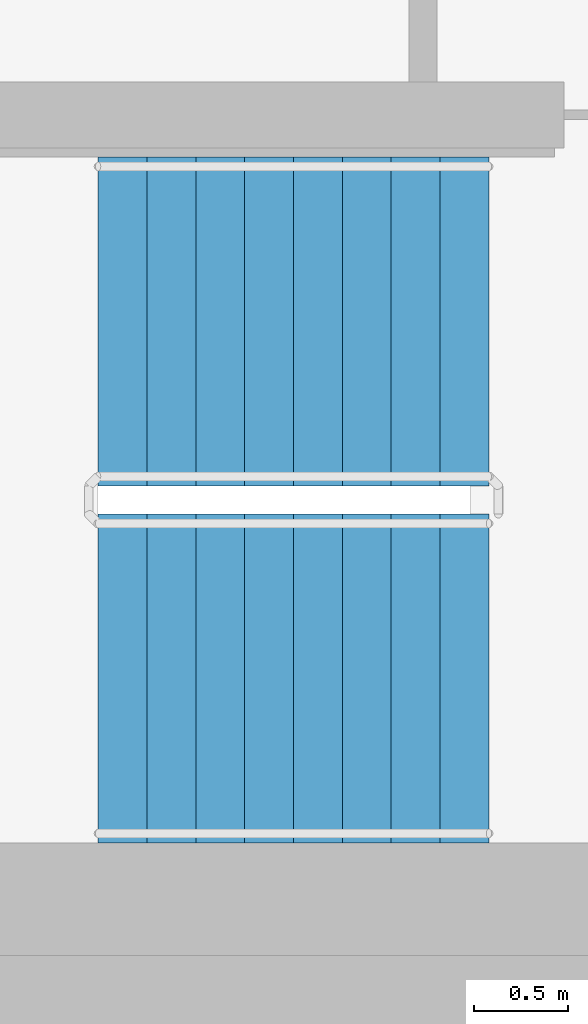
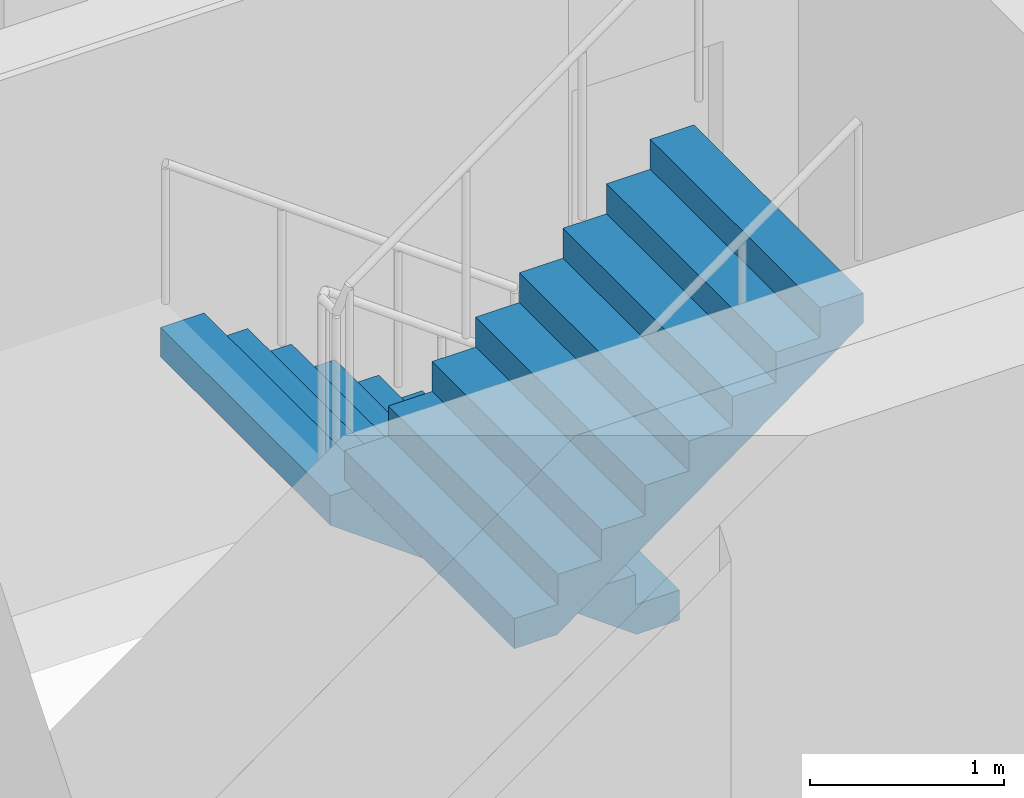
# One storey, part 12 of 18: 2 stair flights, 1 element without a shape of its own.
"""IFC4 building model written with IfcOpenShell, lengths in metres."""

from ifc_helpers import new_model, si_unit, direction, frame, origin, place, context, subcontext, project, spatial, faceted_brep, material, type_object, element, aggregate, save


model = new_model("IFC4")

# Units and contexts
model_context = context("Model", 3, precision=1e-05, world=origin(), true_north=direction((0.0, 1.0)))
body_context = subcontext(model_context, "Body", "Model", "MODEL_VIEW")
ifc_project = project(units=[si_unit("LENGTHUNIT", "METRE"), si_unit("AREAUNIT", "SQUARE_METRE"), si_unit("VOLUMEUNIT", "CUBIC_METRE"), si_unit("PLANEANGLEUNIT", "RADIAN"), si_unit("MASSUNIT", "GRAM", prefix="KILO")], contexts=[model_context])

# Site, building, storey
site_placement = place(None, origin())
site = spatial("IfcSite", under=ifc_project, at=site_placement, CompositionType="ELEMENT")
building_placement = place(site_placement, origin())
building = spatial("IfcBuilding", under=site, at=building_placement, Name="Ipe Terrace Towers", CompositionType="ELEMENT")
storey_placement = place(building_placement, frame((0.0, 0.0, 230.0)))
storey = spatial("IfcBuildingStorey", under=building, at=storey_placement, Name="L64", CompositionType="ELEMENT", Elevation=230.0)

# Stair, stair flights
ifc_material_1 = material(Name="Concrete C30/37", Category="concrete")
stair_type = type_object("IfcStairType", Name="Protected exit stair", PredefinedType="HALF_TURN_STAIR", material=ifc_material_1)
stair_placement = place(storey_placement, origin())
stair = element("IfcStair", 1, at=stair_placement, inside=storey, type_object=stair_type, Name="L64 Exit stair T1-C2", PredefinedType="HALF_TURN_STAIR")
ifc_material_2 = material(Name="Concrete C30/37", Category="concrete")
stair_flight_type = type_object("IfcStairFlightType", Name="Exit stair flight 1750", PredefinedType="STRAIGHT", material=ifc_material_2)
stair_flight_1_placement = place(storey_placement, frame((-45.699951171875, -2.77490234375, 0.0), z_axis=(0.0, 0.0, 1.0), x_axis=(-1.0, 0.0, 0.0)))
stair_flight_1 = element("IfcStairFlight", 2, at=stair_flight_1_placement, type_object=stair_flight_type, Name="T1-ST2 flight 1", NumberOfRisers=9, NumberOfTreads=8, PredefinedType="STRAIGHT", RiserHeight=0.188888889, TreadLength=0.26, context=body_context, shape_type="Brep", body=[
    faceted_brep([(0.255126953125, -0.875, 0.0), (2.080078125, -0.875, 1.325927734375), (2.080078125, -0.875, 1.51123046875), (1.820068359375, -0.875, 1.51123046875), (1.820068359375, -0.875, 1.322265625), (1.56005859375, -0.875, 1.322265625), (1.56005859375, -0.875, 1.13330078125), (1.300048828125, -0.875, 1.13330078125), (1.300048828125, -0.875, 0.9443359375), (1.0400390625, -0.875, 0.9443359375), (1.0400390625, -0.875, 0.755615234375), (0.780029296875, -0.875, 0.755615234375), (0.780029296875, -0.875, 0.566650390625), (0.52001953125, -0.875, 0.566650390625), (0.52001953125, -0.875, 0.377685546875), (0.260009765625, -0.875, 0.377685546875), (0.260009765625, -0.875, 0.18896484375), (0.0, -0.875, 0.18896484375), (0.0, -0.875, 0.0), (0.0, 0.875, 0.0), (0.0, 0.875, 0.18896484375), (0.260009765625, 0.875, 0.18896484375), (0.260009765625, 0.875, 0.377685546875), (0.52001953125, 0.875, 0.377685546875), (0.52001953125, 0.875, 0.566650390625), (0.780029296875, 0.875, 0.566650390625), (0.780029296875, 0.875, 0.755615234375), (1.0400390625, 0.875, 0.755615234375), (1.0400390625, 0.875, 0.9443359375), (1.300048828125, 0.875, 0.9443359375), (1.300048828125, 0.875, 1.13330078125), (1.56005859375, 0.875, 1.13330078125), (1.56005859375, 0.875, 1.322265625), (1.820068359375, 0.875, 1.322265625), (1.820068359375, 0.875, 1.51123046875), (2.080078125, 0.875, 1.51123046875), (2.080078125, 0.875, 1.325927734375), (0.255126953125, 0.875, 0.0), (0.0, -0.300048828125, 0.18896484375), (0.0, -0.1201171875, 0.18896484375), (0.0, -0.06005859375, 0.18896484375), (0.0, -0.030029296875, 0.18896484375), (0.0, -0.010009765625, 0.18896484375), (0.0, 0.0, 0.18896484375), (0.0, 0.010009765625, 0.18896484375), (0.0, 0.030029296875, 0.18896484375), (0.0, 0.06005859375, 0.18896484375), (0.0, 0.1201171875, 0.18896484375), (0.0, 0.300048828125, 0.18896484375), (0.0, 0.300048828125, 0.0), (0.0, 0.1201171875, 0.0), (0.0, 0.06005859375, 0.0), (0.0, 0.030029296875, 0.0), (0.0, 0.010009765625, 0.0), (0.0, 0.0, 0.0), (0.0, -0.010009765625, 0.0), (0.0, -0.030029296875, 0.0), (0.0, -0.06005859375, 0.0), (0.0, -0.1201171875, 0.0), (0.0, -0.300048828125, 0.0), (0.260009765625, -0.300048828125, 0.18896484375), (0.260009765625, -0.1201171875, 0.18896484375), (0.260009765625, -0.06005859375, 0.18896484375), (0.260009765625, -0.030029296875, 0.18896484375), (0.260009765625, -0.010009765625, 0.18896484375), (0.260009765625, 0.0, 0.18896484375), (0.260009765625, 0.010009765625, 0.18896484375), (0.260009765625, 0.030029296875, 0.18896484375), (0.260009765625, 0.06005859375, 0.18896484375), (0.260009765625, 0.1201171875, 0.18896484375), (0.260009765625, 0.300048828125, 0.18896484375), (0.260009765625, -0.300048828125, 0.377685546875), (0.260009765625, -0.1201171875, 0.377685546875), (0.260009765625, -0.06005859375, 0.377685546875), (0.260009765625, -0.030029296875, 0.377685546875), (0.260009765625, -0.010009765625, 0.377685546875), (0.260009765625, 0.0, 0.377685546875), (0.260009765625, 0.010009765625, 0.377685546875), (0.260009765625, 0.030029296875, 0.377685546875), (0.260009765625, 0.06005859375, 0.377685546875), (0.260009765625, 0.1201171875, 0.377685546875), (0.260009765625, 0.300048828125, 0.377685546875), (0.52001953125, -0.300048828125, 0.377685546875), (0.52001953125, -0.1201171875, 0.377685546875), (0.52001953125, -0.06005859375, 0.377685546875), (0.52001953125, -0.030029296875, 0.377685546875), (0.52001953125, -0.010009765625, 0.377685546875), (0.52001953125, 0.0, 0.377685546875), (0.52001953125, 0.010009765625, 0.377685546875), (0.52001953125, 0.030029296875, 0.377685546875), (0.52001953125, 0.06005859375, 0.377685546875), (0.52001953125, 0.1201171875, 0.377685546875), (0.52001953125, 0.300048828125, 0.377685546875), (0.52001953125, -0.300048828125, 0.566650390625), (0.52001953125, -0.1201171875, 0.566650390625), (0.52001953125, -0.06005859375, 0.566650390625), (0.52001953125, -0.030029296875, 0.566650390625), (0.52001953125, -0.010009765625, 0.566650390625), (0.52001953125, 0.0, 0.566650390625), (0.52001953125, 0.010009765625, 0.566650390625), (0.52001953125, 0.030029296875, 0.566650390625), (0.52001953125, 0.06005859375, 0.566650390625), (0.52001953125, 0.1201171875, 0.566650390625), (0.52001953125, 0.300048828125, 0.566650390625), (0.780029296875, -0.300048828125, 0.566650390625), (0.780029296875, -0.1201171875, 0.566650390625), (0.780029296875, -0.06005859375, 0.566650390625), (0.780029296875, -0.030029296875, 0.566650390625), (0.780029296875, -0.010009765625, 0.566650390625), (0.780029296875, 0.0, 0.566650390625), (0.780029296875, 0.010009765625, 0.566650390625), (0.780029296875, 0.030029296875, 0.566650390625), (0.780029296875, 0.06005859375, 0.566650390625), (0.780029296875, 0.1201171875, 0.566650390625), (0.780029296875, 0.300048828125, 0.566650390625), (0.780029296875, -0.300048828125, 0.755615234375), (0.780029296875, -0.1201171875, 0.755615234375), (0.780029296875, -0.06005859375, 0.755615234375), (0.780029296875, -0.030029296875, 0.755615234375), (0.780029296875, -0.010009765625, 0.755615234375), (0.780029296875, 0.0, 0.755615234375), (0.780029296875, 0.010009765625, 0.755615234375), (0.780029296875, 0.030029296875, 0.755615234375), (0.780029296875, 0.06005859375, 0.755615234375), (0.780029296875, 0.1201171875, 0.755615234375), (0.780029296875, 0.300048828125, 0.755615234375), (1.0400390625, -0.300048828125, 0.755615234375), (1.0400390625, -0.1201171875, 0.755615234375), (1.0400390625, -0.06005859375, 0.755615234375), (1.0400390625, -0.030029296875, 0.755615234375), (1.0400390625, -0.010009765625, 0.755615234375), (1.0400390625, 0.0, 0.755615234375), (1.0400390625, 0.010009765625, 0.755615234375), (1.0400390625, 0.030029296875, 0.755615234375), (1.0400390625, 0.06005859375, 0.755615234375), (1.0400390625, 0.1201171875, 0.755615234375), (1.0400390625, 0.300048828125, 0.755615234375), (1.0400390625, -0.300048828125, 0.9443359375), (1.0400390625, -0.1201171875, 0.9443359375), (1.0400390625, -0.06005859375, 0.9443359375), (1.0400390625, -0.030029296875, 0.9443359375), (1.0400390625, -0.010009765625, 0.9443359375), (1.0400390625, 0.0, 0.9443359375), (1.0400390625, 0.010009765625, 0.9443359375), (1.0400390625, 0.030029296875, 0.9443359375), (1.0400390625, 0.06005859375, 0.9443359375), (1.0400390625, 0.1201171875, 0.9443359375), (1.0400390625, 0.300048828125, 0.9443359375), (1.300048828125, -0.300048828125, 0.9443359375), (1.300048828125, -0.1201171875, 0.9443359375), (1.300048828125, -0.06005859375, 0.9443359375), (1.300048828125, -0.030029296875, 0.9443359375), (1.300048828125, -0.010009765625, 0.9443359375), (1.300048828125, 0.0, 0.9443359375), (1.300048828125, 0.010009765625, 0.9443359375), (1.300048828125, 0.030029296875, 0.9443359375), (1.300048828125, 0.06005859375, 0.9443359375), (1.300048828125, 0.1201171875, 0.9443359375), (1.300048828125, 0.300048828125, 0.9443359375), (1.300048828125, -0.300048828125, 1.13330078125), (1.300048828125, -0.1201171875, 1.13330078125), (1.300048828125, -0.06005859375, 1.13330078125), (1.300048828125, -0.030029296875, 1.13330078125), (1.300048828125, -0.010009765625, 1.13330078125), (1.300048828125, 0.0, 1.13330078125), (1.300048828125, 0.010009765625, 1.13330078125), (1.300048828125, 0.030029296875, 1.13330078125), (1.300048828125, 0.06005859375, 1.13330078125), (1.300048828125, 0.1201171875, 1.13330078125), (1.300048828125, 0.300048828125, 1.13330078125), (1.56005859375, -0.300048828125, 1.13330078125), (1.56005859375, -0.1201171875, 1.13330078125), (1.56005859375, -0.06005859375, 1.13330078125), (1.56005859375, -0.030029296875, 1.13330078125), (1.56005859375, -0.010009765625, 1.13330078125), (1.56005859375, 0.0, 1.13330078125), (1.56005859375, 0.010009765625, 1.13330078125), (1.56005859375, 0.030029296875, 1.13330078125), (1.56005859375, 0.06005859375, 1.13330078125), (1.56005859375, 0.1201171875, 1.13330078125), (1.56005859375, 0.300048828125, 1.13330078125), (1.56005859375, -0.300048828125, 1.322265625), (1.56005859375, -0.1201171875, 1.322265625), (1.56005859375, -0.06005859375, 1.322265625), (1.56005859375, -0.030029296875, 1.322265625), (1.56005859375, -0.010009765625, 1.322265625), (1.56005859375, 0.0, 1.322265625), (1.56005859375, 0.010009765625, 1.322265625), (1.56005859375, 0.030029296875, 1.322265625), (1.56005859375, 0.06005859375, 1.322265625), (1.56005859375, 0.1201171875, 1.322265625), (1.56005859375, 0.300048828125, 1.322265625), (1.820068359375, -0.300048828125, 1.322265625), (1.820068359375, -0.1201171875, 1.322265625), (1.820068359375, -0.06005859375, 1.322265625), (1.820068359375, -0.030029296875, 1.322265625), (1.820068359375, -0.010009765625, 1.322265625), (1.820068359375, 0.0, 1.322265625), (1.820068359375, 0.010009765625, 1.322265625), (1.820068359375, 0.030029296875, 1.322265625), (1.820068359375, 0.06005859375, 1.322265625), (1.820068359375, 0.1201171875, 1.322265625), (1.820068359375, 0.300048828125, 1.322265625), (1.820068359375, -0.300048828125, 1.51123046875), (1.820068359375, -0.1201171875, 1.51123046875), (1.820068359375, -0.06005859375, 1.51123046875), (1.820068359375, -0.030029296875, 1.51123046875), (1.820068359375, -0.010009765625, 1.51123046875), (1.820068359375, 0.0, 1.51123046875), (1.820068359375, 0.010009765625, 1.51123046875), (1.820068359375, 0.030029296875, 1.51123046875), (1.820068359375, 0.06005859375, 1.51123046875), (1.820068359375, 0.1201171875, 1.51123046875), (1.820068359375, 0.300048828125, 1.51123046875), (2.080078125, -0.300048828125, 1.51123046875), (2.080078125, -0.1201171875, 1.51123046875), (2.080078125, -0.06005859375, 1.51123046875), (2.080078125, -0.030029296875, 1.51123046875), (2.080078125, -0.010009765625, 1.51123046875), (2.080078125, 0.0, 1.51123046875), (2.080078125, 0.010009765625, 1.51123046875), (2.080078125, 0.030029296875, 1.51123046875), (2.080078125, 0.06005859375, 1.51123046875), (2.080078125, 0.1201171875, 1.51123046875), (2.080078125, 0.300048828125, 1.51123046875), (2.080078125, -0.300048828125, 1.325927734375), (2.080078125, -0.1201171875, 1.325927734375), (2.080078125, -0.06005859375, 1.325927734375), (2.080078125, -0.030029296875, 1.325927734375), (2.080078125, -0.010009765625, 1.325927734375), (2.080078125, 0.0, 1.325927734375), (2.080078125, 0.010009765625, 1.325927734375), (2.080078125, 0.030029296875, 1.325927734375), (2.080078125, 0.06005859375, 1.325927734375), (2.080078125, 0.1201171875, 1.325927734375), (2.080078125, 0.300048828125, 1.325927734375), (0.255126953125, -0.300048828125, 0.0), (0.255126953125, -0.1201171875, 0.0), (0.255126953125, -0.06005859375, 0.0), (0.255126953125, -0.030029296875, 0.0), (0.255126953125, -0.010009765625, 0.0), (0.255126953125, 0.0, 0.0), (0.255126953125, 0.010009765625, 0.0), (0.255126953125, 0.030029296875, 0.0), (0.255126953125, 0.06005859375, 0.0), (0.255126953125, 0.1201171875, 0.0), (0.255126953125, 0.300048828125, 0.0)], [[[0, 1, 2, 3, 4, 5, 6, 7, 8, 9, 10, 11, 12, 13, 14, 15, 16, 17, 18]], [[19, 20, 21, 22, 23, 24, 25, 26, 27, 28, 29, 30, 31, 32, 33, 34, 35, 36, 37]], [[17, 38, 39, 40, 41, 42, 43, 44, 45, 46, 47, 48, 20, 19, 49, 50, 51, 52, 53, 54, 55, 56, 57, 58, 59, 18]], [[16, 60, 61, 62, 63, 64, 65, 66, 67, 68, 69, 70, 21, 20, 48, 47, 46, 45, 44, 43, 42, 41, 40, 39, 38, 17]], [[15, 71, 72, 73, 74, 75, 76, 77, 78, 79, 80, 81, 22, 21, 70, 69, 68, 67, 66, 65, 64, 63, 62, 61, 60, 16]], [[14, 82, 83, 84, 85, 86, 87, 88, 89, 90, 91, 92, 23, 22, 81, 80, 79, 78, 77, 76, 75, 74, 73, 72, 71, 15]], [[13, 93, 94, 95, 96, 97, 98, 99, 100, 101, 102, 103, 24, 23, 92, 91, 90, 89, 88, 87, 86, 85, 84, 83, 82, 14]], [[12, 104, 105, 106, 107, 108, 109, 110, 111, 112, 113, 114, 25, 24, 103, 102, 101, 100, 99, 98, 97, 96, 95, 94, 93, 13]], [[11, 115, 116, 117, 118, 119, 120, 121, 122, 123, 124, 125, 26, 25, 114, 113, 112, 111, 110, 109, 108, 107, 106, 105, 104, 12]], [[10, 126, 127, 128, 129, 130, 131, 132, 133, 134, 135, 136, 27, 26, 125, 124, 123, 122, 121, 120, 119, 118, 117, 116, 115, 11]], [[9, 137, 138, 139, 140, 141, 142, 143, 144, 145, 146, 147, 28, 27, 136, 135, 134, 133, 132, 131, 130, 129, 128, 127, 126, 10]], [[8, 148, 149, 150, 151, 152, 153, 154, 155, 156, 157, 158, 29, 28, 147, 146, 145, 144, 143, 142, 141, 140, 139, 138, 137, 9]], [[7, 159, 160, 161, 162, 163, 164, 165, 166, 167, 168, 169, 30, 29, 158, 157, 156, 155, 154, 153, 152, 151, 150, 149, 148, 8]], [[6, 170, 171, 172, 173, 174, 175, 176, 177, 178, 179, 180, 31, 30, 169, 168, 167, 166, 165, 164, 163, 162, 161, 160, 159, 7]], [[5, 181, 182, 183, 184, 185, 186, 187, 188, 189, 190, 191, 32, 31, 180, 179, 178, 177, 176, 175, 174, 173, 172, 171, 170, 6]], [[4, 192, 193, 194, 195, 196, 197, 198, 199, 200, 201, 202, 33, 32, 191, 190, 189, 188, 187, 186, 185, 184, 183, 182, 181, 5]], [[3, 203, 204, 205, 206, 207, 208, 209, 210, 211, 212, 213, 34, 33, 202, 201, 200, 199, 198, 197, 196, 195, 194, 193, 192, 4]], [[2, 214, 215, 216, 217, 218, 219, 220, 221, 222, 223, 224, 35, 34, 213, 212, 211, 210, 209, 208, 207, 206, 205, 204, 203, 3]], [[1, 225, 226, 227, 228, 229, 230, 231, 232, 233, 234, 235, 36, 35, 224, 223, 222, 221, 220, 219, 218, 217, 216, 215, 214, 2]], [[0, 236, 237, 238, 239, 240, 241, 242, 243, 244, 245, 246, 37, 36, 235, 234, 233, 232, 231, 230, 229, 228, 227, 226, 225, 1]], [[18, 59, 58, 57, 56, 55, 54, 53, 52, 51, 50, 49, 19, 37, 246, 245, 244, 243, 242, 241, 240, 239, 238, 237, 236, 0]]]),
])
stair_flight_2_placement = place(storey_placement, frame((-47.780029296875, -4.675048828125, 1.699951171875), z_axis=(0.0, 0.0, 1.0), x_axis=(1.0, 0.0, 0.0)))
stair_flight_2 = element("IfcStairFlight", 3, at=stair_flight_2_placement, type_object=stair_flight_type, Name="T1-ST2 flight 2", NumberOfRisers=9, NumberOfTreads=8, PredefinedType="STRAIGHT", RiserHeight=0.188888889, TreadLength=0.26, context=body_context, shape_type="Brep", body=[
    faceted_brep([(0.255126953125, -0.875, 0.0), (2.080078125, -0.875, 1.325927734375), (2.080078125, -0.875, 1.51123046875), (1.820068359375, -0.875, 1.51123046875), (1.820068359375, -0.875, 1.322265625), (1.56005859375, -0.875, 1.322265625), (1.56005859375, -0.875, 1.13330078125), (1.300048828125, -0.875, 1.13330078125), (1.300048828125, -0.875, 0.9443359375), (1.0400390625, -0.875, 0.9443359375), (1.0400390625, -0.875, 0.755615234375), (0.780029296875, -0.875, 0.755615234375), (0.780029296875, -0.875, 0.566650390625), (0.52001953125, -0.875, 0.566650390625), (0.52001953125, -0.875, 0.377685546875), (0.260009765625, -0.875, 0.377685546875), (0.260009765625, -0.875, 0.18896484375), (0.0, -0.875, 0.18896484375), (0.0, -0.875, 0.0), (0.0, 0.875, 0.0), (0.0, 0.875, 0.18896484375), (0.260009765625, 0.875, 0.18896484375), (0.260009765625, 0.875, 0.377685546875), (0.52001953125, 0.875, 0.377685546875), (0.52001953125, 0.875, 0.566650390625), (0.780029296875, 0.875, 0.566650390625), (0.780029296875, 0.875, 0.755615234375), (1.0400390625, 0.875, 0.755615234375), (1.0400390625, 0.875, 0.9443359375), (1.300048828125, 0.875, 0.9443359375), (1.300048828125, 0.875, 1.13330078125), (1.56005859375, 0.875, 1.13330078125), (1.56005859375, 0.875, 1.322265625), (1.820068359375, 0.875, 1.322265625), (1.820068359375, 0.875, 1.51123046875), (2.080078125, 0.875, 1.51123046875), (2.080078125, 0.875, 1.325927734375), (0.255126953125, 0.875, 0.0), (0.0, -0.300048828125, 0.18896484375), (0.0, -0.1201171875, 0.18896484375), (0.0, -0.06005859375, 0.18896484375), (0.0, -0.030029296875, 0.18896484375), (0.0, -0.010009765625, 0.18896484375), (0.0, 0.0, 0.18896484375), (0.0, 0.010009765625, 0.18896484375), (0.0, 0.030029296875, 0.18896484375), (0.0, 0.06005859375, 0.18896484375), (0.0, 0.1201171875, 0.18896484375), (0.0, 0.300048828125, 0.18896484375), (0.0, 0.300048828125, 0.0), (0.0, 0.1201171875, 0.0), (0.0, 0.06005859375, 0.0), (0.0, 0.030029296875, 0.0), (0.0, 0.010009765625, 0.0), (0.0, 0.0, 0.0), (0.0, -0.010009765625, 0.0), (0.0, -0.030029296875, 0.0), (0.0, -0.06005859375, 0.0), (0.0, -0.1201171875, 0.0), (0.0, -0.300048828125, 0.0), (0.260009765625, -0.300048828125, 0.18896484375), (0.260009765625, -0.1201171875, 0.18896484375), (0.260009765625, -0.06005859375, 0.18896484375), (0.260009765625, -0.030029296875, 0.18896484375), (0.260009765625, -0.010009765625, 0.18896484375), (0.260009765625, 0.0, 0.18896484375), (0.260009765625, 0.010009765625, 0.18896484375), (0.260009765625, 0.030029296875, 0.18896484375), (0.260009765625, 0.06005859375, 0.18896484375), (0.260009765625, 0.1201171875, 0.18896484375), (0.260009765625, 0.300048828125, 0.18896484375), (0.260009765625, -0.300048828125, 0.377685546875), (0.260009765625, -0.1201171875, 0.377685546875), (0.260009765625, -0.06005859375, 0.377685546875), (0.260009765625, -0.030029296875, 0.377685546875), (0.260009765625, -0.010009765625, 0.377685546875), (0.260009765625, 0.0, 0.377685546875), (0.260009765625, 0.010009765625, 0.377685546875), (0.260009765625, 0.030029296875, 0.377685546875), (0.260009765625, 0.06005859375, 0.377685546875), (0.260009765625, 0.1201171875, 0.377685546875), (0.260009765625, 0.300048828125, 0.377685546875), (0.52001953125, -0.300048828125, 0.377685546875), (0.52001953125, -0.1201171875, 0.377685546875), (0.52001953125, -0.06005859375, 0.377685546875), (0.52001953125, -0.030029296875, 0.377685546875), (0.52001953125, -0.010009765625, 0.377685546875), (0.52001953125, 0.0, 0.377685546875), (0.52001953125, 0.010009765625, 0.377685546875), (0.52001953125, 0.030029296875, 0.377685546875), (0.52001953125, 0.06005859375, 0.377685546875), (0.52001953125, 0.1201171875, 0.377685546875), (0.52001953125, 0.300048828125, 0.377685546875), (0.52001953125, -0.300048828125, 0.566650390625), (0.52001953125, -0.1201171875, 0.566650390625), (0.52001953125, -0.06005859375, 0.566650390625), (0.52001953125, -0.030029296875, 0.566650390625), (0.52001953125, -0.010009765625, 0.566650390625), (0.52001953125, 0.0, 0.566650390625), (0.52001953125, 0.010009765625, 0.566650390625), (0.52001953125, 0.030029296875, 0.566650390625), (0.52001953125, 0.06005859375, 0.566650390625), (0.52001953125, 0.1201171875, 0.566650390625), (0.52001953125, 0.300048828125, 0.566650390625), (0.780029296875, -0.300048828125, 0.566650390625), (0.780029296875, -0.1201171875, 0.566650390625), (0.780029296875, -0.06005859375, 0.566650390625), (0.780029296875, -0.030029296875, 0.566650390625), (0.780029296875, -0.010009765625, 0.566650390625), (0.780029296875, 0.0, 0.566650390625), (0.780029296875, 0.010009765625, 0.566650390625), (0.780029296875, 0.030029296875, 0.566650390625), (0.780029296875, 0.06005859375, 0.566650390625), (0.780029296875, 0.1201171875, 0.566650390625), (0.780029296875, 0.300048828125, 0.566650390625), (0.780029296875, -0.300048828125, 0.755615234375), (0.780029296875, -0.1201171875, 0.755615234375), (0.780029296875, -0.06005859375, 0.755615234375), (0.780029296875, -0.030029296875, 0.755615234375), (0.780029296875, -0.010009765625, 0.755615234375), (0.780029296875, 0.0, 0.755615234375), (0.780029296875, 0.010009765625, 0.755615234375), (0.780029296875, 0.030029296875, 0.755615234375), (0.780029296875, 0.06005859375, 0.755615234375), (0.780029296875, 0.1201171875, 0.755615234375), (0.780029296875, 0.300048828125, 0.755615234375), (1.0400390625, -0.300048828125, 0.755615234375), (1.0400390625, -0.1201171875, 0.755615234375), (1.0400390625, -0.06005859375, 0.755615234375), (1.0400390625, -0.030029296875, 0.755615234375), (1.0400390625, -0.010009765625, 0.755615234375), (1.0400390625, 0.0, 0.755615234375), (1.0400390625, 0.010009765625, 0.755615234375), (1.0400390625, 0.030029296875, 0.755615234375), (1.0400390625, 0.06005859375, 0.755615234375), (1.0400390625, 0.1201171875, 0.755615234375), (1.0400390625, 0.300048828125, 0.755615234375), (1.0400390625, -0.300048828125, 0.9443359375), (1.0400390625, -0.1201171875, 0.9443359375), (1.0400390625, -0.06005859375, 0.9443359375), (1.0400390625, -0.030029296875, 0.9443359375), (1.0400390625, -0.010009765625, 0.9443359375), (1.0400390625, 0.0, 0.9443359375), (1.0400390625, 0.010009765625, 0.9443359375), (1.0400390625, 0.030029296875, 0.9443359375), (1.0400390625, 0.06005859375, 0.9443359375), (1.0400390625, 0.1201171875, 0.9443359375), (1.0400390625, 0.300048828125, 0.9443359375), (1.300048828125, -0.300048828125, 0.9443359375), (1.300048828125, -0.1201171875, 0.9443359375), (1.300048828125, -0.06005859375, 0.9443359375), (1.300048828125, -0.030029296875, 0.9443359375), (1.300048828125, -0.010009765625, 0.9443359375), (1.300048828125, 0.0, 0.9443359375), (1.300048828125, 0.010009765625, 0.9443359375), (1.300048828125, 0.030029296875, 0.9443359375), (1.300048828125, 0.06005859375, 0.9443359375), (1.300048828125, 0.1201171875, 0.9443359375), (1.300048828125, 0.300048828125, 0.9443359375), (1.300048828125, -0.300048828125, 1.13330078125), (1.300048828125, -0.1201171875, 1.13330078125), (1.300048828125, -0.06005859375, 1.13330078125), (1.300048828125, -0.030029296875, 1.13330078125), (1.300048828125, -0.010009765625, 1.13330078125), (1.300048828125, 0.0, 1.13330078125), (1.300048828125, 0.010009765625, 1.13330078125), (1.300048828125, 0.030029296875, 1.13330078125), (1.300048828125, 0.06005859375, 1.13330078125), (1.300048828125, 0.1201171875, 1.13330078125), (1.300048828125, 0.300048828125, 1.13330078125), (1.56005859375, -0.300048828125, 1.13330078125), (1.56005859375, -0.1201171875, 1.13330078125), (1.56005859375, -0.06005859375, 1.13330078125), (1.56005859375, -0.030029296875, 1.13330078125), (1.56005859375, -0.010009765625, 1.13330078125), (1.56005859375, 0.0, 1.13330078125), (1.56005859375, 0.010009765625, 1.13330078125), (1.56005859375, 0.030029296875, 1.13330078125), (1.56005859375, 0.06005859375, 1.13330078125), (1.56005859375, 0.1201171875, 1.13330078125), (1.56005859375, 0.300048828125, 1.13330078125), (1.56005859375, -0.300048828125, 1.322265625), (1.56005859375, -0.1201171875, 1.322265625), (1.56005859375, -0.06005859375, 1.322265625), (1.56005859375, -0.030029296875, 1.322265625), (1.56005859375, -0.010009765625, 1.322265625), (1.56005859375, 0.0, 1.322265625), (1.56005859375, 0.010009765625, 1.322265625), (1.56005859375, 0.030029296875, 1.322265625), (1.56005859375, 0.06005859375, 1.322265625), (1.56005859375, 0.1201171875, 1.322265625), (1.56005859375, 0.300048828125, 1.322265625), (1.820068359375, -0.300048828125, 1.322265625), (1.820068359375, -0.1201171875, 1.322265625), (1.820068359375, -0.06005859375, 1.322265625), (1.820068359375, -0.030029296875, 1.322265625), (1.820068359375, -0.010009765625, 1.322265625), (1.820068359375, 0.0, 1.322265625), (1.820068359375, 0.010009765625, 1.322265625), (1.820068359375, 0.030029296875, 1.322265625), (1.820068359375, 0.06005859375, 1.322265625), (1.820068359375, 0.1201171875, 1.322265625), (1.820068359375, 0.300048828125, 1.322265625), (1.820068359375, -0.300048828125, 1.51123046875), (1.820068359375, -0.1201171875, 1.51123046875), (1.820068359375, -0.06005859375, 1.51123046875), (1.820068359375, -0.030029296875, 1.51123046875), (1.820068359375, -0.010009765625, 1.51123046875), (1.820068359375, 0.0, 1.51123046875), (1.820068359375, 0.010009765625, 1.51123046875), (1.820068359375, 0.030029296875, 1.51123046875), (1.820068359375, 0.06005859375, 1.51123046875), (1.820068359375, 0.1201171875, 1.51123046875), (1.820068359375, 0.300048828125, 1.51123046875), (2.080078125, -0.300048828125, 1.51123046875), (2.080078125, -0.1201171875, 1.51123046875), (2.080078125, -0.06005859375, 1.51123046875), (2.080078125, -0.030029296875, 1.51123046875), (2.080078125, -0.010009765625, 1.51123046875), (2.080078125, 0.0, 1.51123046875), (2.080078125, 0.010009765625, 1.51123046875), (2.080078125, 0.030029296875, 1.51123046875), (2.080078125, 0.06005859375, 1.51123046875), (2.080078125, 0.1201171875, 1.51123046875), (2.080078125, 0.300048828125, 1.51123046875), (2.080078125, -0.300048828125, 1.325927734375), (2.080078125, -0.1201171875, 1.325927734375), (2.080078125, -0.06005859375, 1.325927734375), (2.080078125, -0.030029296875, 1.325927734375), (2.080078125, -0.010009765625, 1.325927734375), (2.080078125, 0.0, 1.325927734375), (2.080078125, 0.010009765625, 1.325927734375), (2.080078125, 0.030029296875, 1.325927734375), (2.080078125, 0.06005859375, 1.325927734375), (2.080078125, 0.1201171875, 1.325927734375), (2.080078125, 0.300048828125, 1.325927734375), (0.255126953125, -0.300048828125, 0.0), (0.255126953125, -0.1201171875, 0.0), (0.255126953125, -0.06005859375, 0.0), (0.255126953125, -0.030029296875, 0.0), (0.255126953125, -0.010009765625, 0.0), (0.255126953125, 0.0, 0.0), (0.255126953125, 0.010009765625, 0.0), (0.255126953125, 0.030029296875, 0.0), (0.255126953125, 0.06005859375, 0.0), (0.255126953125, 0.1201171875, 0.0), (0.255126953125, 0.300048828125, 0.0)], [[[0, 1, 2, 3, 4, 5, 6, 7, 8, 9, 10, 11, 12, 13, 14, 15, 16, 17, 18]], [[19, 20, 21, 22, 23, 24, 25, 26, 27, 28, 29, 30, 31, 32, 33, 34, 35, 36, 37]], [[17, 38, 39, 40, 41, 42, 43, 44, 45, 46, 47, 48, 20, 19, 49, 50, 51, 52, 53, 54, 55, 56, 57, 58, 59, 18]], [[16, 60, 61, 62, 63, 64, 65, 66, 67, 68, 69, 70, 21, 20, 48, 47, 46, 45, 44, 43, 42, 41, 40, 39, 38, 17]], [[15, 71, 72, 73, 74, 75, 76, 77, 78, 79, 80, 81, 22, 21, 70, 69, 68, 67, 66, 65, 64, 63, 62, 61, 60, 16]], [[14, 82, 83, 84, 85, 86, 87, 88, 89, 90, 91, 92, 23, 22, 81, 80, 79, 78, 77, 76, 75, 74, 73, 72, 71, 15]], [[13, 93, 94, 95, 96, 97, 98, 99, 100, 101, 102, 103, 24, 23, 92, 91, 90, 89, 88, 87, 86, 85, 84, 83, 82, 14]], [[12, 104, 105, 106, 107, 108, 109, 110, 111, 112, 113, 114, 25, 24, 103, 102, 101, 100, 99, 98, 97, 96, 95, 94, 93, 13]], [[11, 115, 116, 117, 118, 119, 120, 121, 122, 123, 124, 125, 26, 25, 114, 113, 112, 111, 110, 109, 108, 107, 106, 105, 104, 12]], [[10, 126, 127, 128, 129, 130, 131, 132, 133, 134, 135, 136, 27, 26, 125, 124, 123, 122, 121, 120, 119, 118, 117, 116, 115, 11]], [[9, 137, 138, 139, 140, 141, 142, 143, 144, 145, 146, 147, 28, 27, 136, 135, 134, 133, 132, 131, 130, 129, 128, 127, 126, 10]], [[8, 148, 149, 150, 151, 152, 153, 154, 155, 156, 157, 158, 29, 28, 147, 146, 145, 144, 143, 142, 141, 140, 139, 138, 137, 9]], [[7, 159, 160, 161, 162, 163, 164, 165, 166, 167, 168, 169, 30, 29, 158, 157, 156, 155, 154, 153, 152, 151, 150, 149, 148, 8]], [[6, 170, 171, 172, 173, 174, 175, 176, 177, 178, 179, 180, 31, 30, 169, 168, 167, 166, 165, 164, 163, 162, 161, 160, 159, 7]], [[5, 181, 182, 183, 184, 185, 186, 187, 188, 189, 190, 191, 32, 31, 180, 179, 178, 177, 176, 175, 174, 173, 172, 171, 170, 6]], [[4, 192, 193, 194, 195, 196, 197, 198, 199, 200, 201, 202, 33, 32, 191, 190, 189, 188, 187, 186, 185, 184, 183, 182, 181, 5]], [[3, 203, 204, 205, 206, 207, 208, 209, 210, 211, 212, 213, 34, 33, 202, 201, 200, 199, 198, 197, 196, 195, 194, 193, 192, 4]], [[2, 214, 215, 216, 217, 218, 219, 220, 221, 222, 223, 224, 35, 34, 213, 212, 211, 210, 209, 208, 207, 206, 205, 204, 203, 3]], [[1, 225, 226, 227, 228, 229, 230, 231, 232, 233, 234, 235, 36, 35, 224, 223, 222, 221, 220, 219, 218, 217, 216, 215, 214, 2]], [[0, 236, 237, 238, 239, 240, 241, 242, 243, 244, 245, 246, 37, 36, 235, 234, 233, 232, 231, 230, 229, 228, 227, 226, 225, 1]], [[18, 59, 58, 57, 56, 55, 54, 53, 52, 51, 50, 49, 19, 37, 246, 245, 244, 243, 242, 241, 240, 239, 238, 237, 236, 0]]]),
])
aggregate(stair, [stair_flight_1, stair_flight_2])

save(model, "model.ifc")
